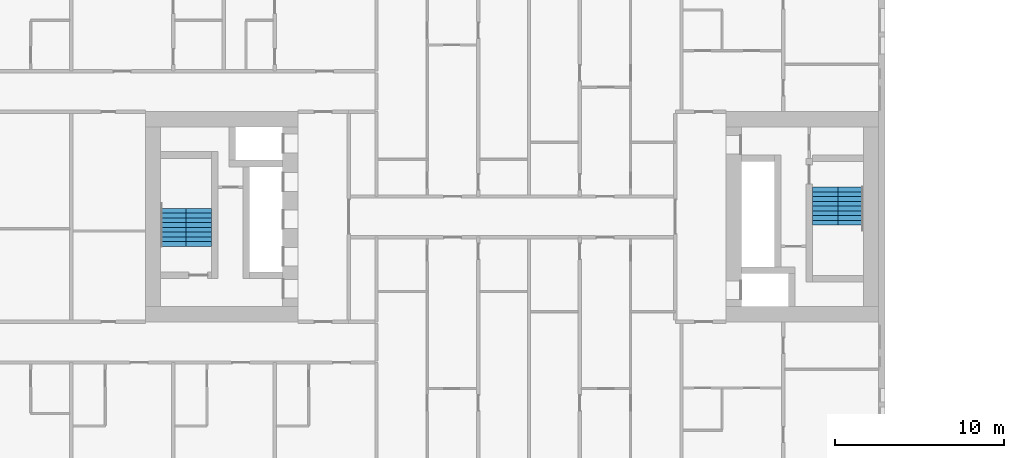
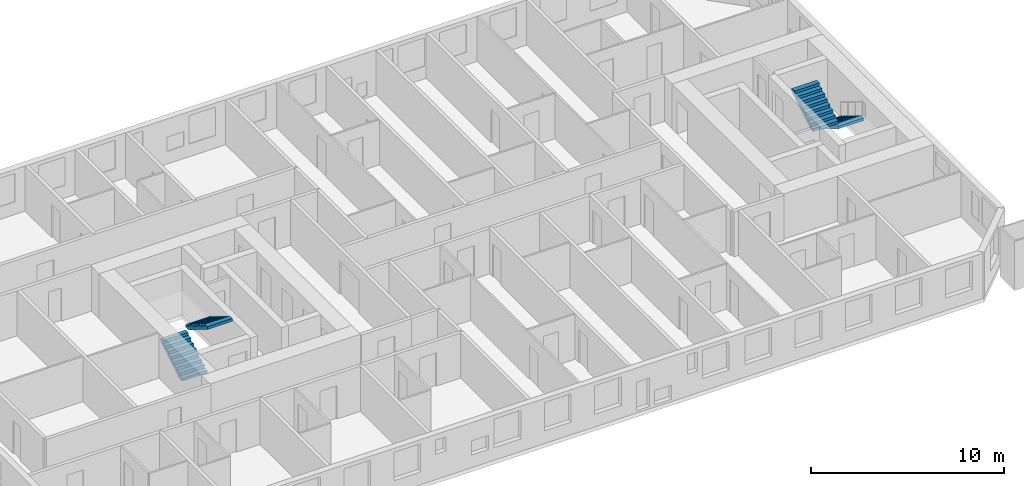
# One storey, part 17 of 18: 4 stair flights, 2 elements without a shape of their own.
"""IFC4 building model written with IfcOpenShell, lengths in metres."""

from ifc_helpers import new_model, si_unit, direction, frame, origin, place, context, subcontext, project, spatial, faceted_brep, material, type_object, element, aggregate, save


model = new_model("IFC4")

# Units and contexts
model_context = context("Model", 3, precision=1e-05, world=origin(), true_north=direction((0.0, 1.0)))
body_context = subcontext(model_context, "Body", "Model", "MODEL_VIEW")
ifc_project = project(units=[si_unit("LENGTHUNIT", "METRE"), si_unit("AREAUNIT", "SQUARE_METRE"), si_unit("VOLUMEUNIT", "CUBIC_METRE"), si_unit("PLANEANGLEUNIT", "RADIAN"), si_unit("MASSUNIT", "GRAM", prefix="KILO")], contexts=[model_context])

# Site, building, storey
site_placement = place(None, origin())
site = spatial("IfcSite", under=ifc_project, at=site_placement, CompositionType="ELEMENT")
building_placement = place(site_placement, origin())
building = spatial("IfcBuilding", under=site, at=building_placement, Name="Tuart Gate Housing", CompositionType="ELEMENT")
storey_placement = place(building_placement, frame((0.0, 0.0, 31.89990234375)))
storey = spatial("IfcBuildingStorey", under=building, at=storey_placement, Name="L08", CompositionType="ELEMENT", Elevation=31.89990234375)

# Stair, stair flights
ifc_material_1 = material(Name="Concrete C40", Category="concrete")
stair_type = type_object("IfcStairType", Name="Core stair 1500", PredefinedType="HALF_TURN_STAIR", material=ifc_material_1)
stair_1_placement = place(storey_placement, origin())
stair_1 = element("IfcStair", 1, at=stair_1_placement, inside=storey, type_object=stair_type, Name="Stair SA1", PredefinedType="HALF_TURN_STAIR")
ifc_material_2 = material(Name="Concrete C40", Category="concrete")
stair_flight_type = type_object("IfcStairFlightType", Name="Stair flight 1500, 9 risers 172 x 280", PredefinedType="STRAIGHT", material=ifc_material_2)
stair_flight_1_placement = place(storey_placement, frame((73.989990234375, 71.75, 0.0), z_axis=(0.0, 0.0, 1.0), x_axis=(0.0, -1.0, 0.0)))
stair_flight_1 = element("IfcStairFlight", 2, at=stair_flight_1_placement, type_object=stair_flight_type, Name="SA1 flight 1", NumberOfRisers=9, NumberOfTreads=8, PredefinedType="STRAIGHT", RiserHeight=0.172222222, TreadLength=0.28, context=body_context, shape_type="Brep", body=[
    faceted_brep([(0.0, 0.75, 0.0), (0.0, 0.75, 0.172119140625), (0.280029296875, 0.75, 0.172119140625), (0.280029296875, 0.75, 0.344482421875), (0.56005859375, 0.75, 0.344482421875), (0.56005859375, 0.75, 0.5166015625), (0.840087890625, 0.75, 0.5166015625), (0.840087890625, 0.75, 0.68896484375), (1.1201171875, 0.75, 0.68896484375), (1.1201171875, 0.75, 0.861083984375), (1.39990234375, 0.75, 0.861083984375), (1.39990234375, 0.75, 1.033447265625), (1.679931640625, 0.75, 1.033447265625), (1.679931640625, 0.75, 1.20556640625), (1.9599609375, 0.75, 1.20556640625), (1.9599609375, 0.75, 1.377685546875), (2.239990234375, 0.75, 1.377685546875), (2.239990234375, 0.75, 1.201904296875), (0.2861328125, 0.75, 0.0), (0.2861328125, -0.75, 0.0), (2.239990234375, -0.75, 1.201904296875), (2.239990234375, -0.75, 1.377685546875), (1.9599609375, -0.75, 1.377685546875), (1.9599609375, -0.75, 1.20556640625), (1.679931640625, -0.75, 1.20556640625), (1.679931640625, -0.75, 1.033447265625), (1.39990234375, -0.75, 1.033447265625), (1.39990234375, -0.75, 0.861083984375), (1.1201171875, -0.75, 0.861083984375), (1.1201171875, -0.75, 0.68896484375), (0.840087890625, -0.75, 0.68896484375), (0.840087890625, -0.75, 0.5166015625), (0.56005859375, -0.75, 0.5166015625), (0.56005859375, -0.75, 0.344482421875), (0.280029296875, -0.75, 0.344482421875), (0.280029296875, -0.75, 0.172119140625), (0.0, -0.75, 0.172119140625), (0.0, -0.75, 0.0), (2.239990234375, 0.0, 1.201904296875), (0.2861328125, 0.0, 0.0), (2.239990234375, 0.0, 1.377685546875), (1.9599609375, 0.0, 1.377685546875), (1.9599609375, 0.0, 1.20556640625), (1.679931640625, 0.0, 1.20556640625), (1.679931640625, 0.0, 1.033447265625), (1.39990234375, 0.0, 1.033447265625), (1.39990234375, 0.0, 0.861083984375), (1.1201171875, 0.0, 0.861083984375), (1.1201171875, 0.0, 0.68896484375), (0.840087890625, 0.0, 0.68896484375), (0.840087890625, 0.0, 0.5166015625), (0.56005859375, 0.0, 0.5166015625), (0.56005859375, 0.0, 0.344482421875), (0.280029296875, 0.0, 0.344482421875), (0.280029296875, 0.0, 0.172119140625), (0.0, 0.0, 0.172119140625), (0.0, 0.0, 0.0)], [[[0, 1, 2, 3, 4, 5, 6, 7, 8, 9, 10, 11, 12, 13, 14, 15, 16, 17, 18]], [[19, 20, 21, 22, 23, 24, 25, 26, 27, 28, 29, 30, 31, 32, 33, 34, 35, 36, 37]], [[18, 17, 38, 39]], [[39, 38, 20, 19]], [[17, 16, 40, 38]], [[38, 40, 21, 20]], [[16, 15, 41, 40]], [[40, 41, 22, 21]], [[15, 14, 42, 41]], [[41, 42, 23, 22]], [[14, 13, 43, 42]], [[42, 43, 24, 23]], [[13, 12, 44, 43]], [[43, 44, 25, 24]], [[12, 11, 45, 44]], [[44, 45, 26, 25]], [[11, 10, 46, 45]], [[45, 46, 27, 26]], [[10, 9, 47, 46]], [[46, 47, 28, 27]], [[9, 8, 48, 47]], [[47, 48, 29, 28]], [[8, 7, 49, 48]], [[48, 49, 30, 29]], [[7, 6, 50, 49]], [[49, 50, 31, 30]], [[6, 5, 51, 50]], [[50, 51, 32, 31]], [[5, 4, 52, 51]], [[51, 52, 33, 32]], [[4, 3, 53, 52]], [[52, 53, 34, 33]], [[3, 2, 54, 53]], [[53, 54, 35, 34]], [[2, 1, 55, 54]], [[54, 55, 36, 35]], [[1, 0, 56, 55]], [[55, 56, 37, 36]], [[0, 18, 39, 56]], [[56, 39, 19, 37]]]),
])
stair_flight_2_placement = place(storey_placement, frame((72.489990234375, 69.510009765625, 1.550048828125), z_axis=(0.0, 0.0, 1.0), x_axis=(0.0, 1.0, 0.0)))
stair_flight_2 = element("IfcStairFlight", 3, at=stair_flight_2_placement, type_object=stair_flight_type, Name="SA1 flight 2", NumberOfRisers=9, NumberOfTreads=8, PredefinedType="STRAIGHT", RiserHeight=0.172222222, TreadLength=0.28, context=body_context, shape_type="Brep", body=[
    faceted_brep([(0.0, 0.75, 0.0), (0.0, 0.75, 0.172119140625), (0.280029296875, 0.75, 0.172119140625), (0.280029296875, 0.75, 0.344482421875), (0.56005859375, 0.75, 0.344482421875), (0.56005859375, 0.75, 0.5166015625), (0.840087890625, 0.75, 0.5166015625), (0.840087890625, 0.75, 0.68896484375), (1.1201171875, 0.75, 0.68896484375), (1.1201171875, 0.75, 0.861083984375), (1.39990234375, 0.75, 0.861083984375), (1.39990234375, 0.75, 1.033447265625), (1.679931640625, 0.75, 1.033447265625), (1.679931640625, 0.75, 1.20556640625), (1.9599609375, 0.75, 1.20556640625), (1.9599609375, 0.75, 1.377685546875), (2.239990234375, 0.75, 1.377685546875), (2.239990234375, 0.75, 1.201904296875), (0.2861328125, 0.75, 0.0), (0.2861328125, -0.75, 0.0), (2.239990234375, -0.75, 1.201904296875), (2.239990234375, -0.75, 1.377685546875), (1.9599609375, -0.75, 1.377685546875), (1.9599609375, -0.75, 1.20556640625), (1.679931640625, -0.75, 1.20556640625), (1.679931640625, -0.75, 1.033447265625), (1.39990234375, -0.75, 1.033447265625), (1.39990234375, -0.75, 0.861083984375), (1.1201171875, -0.75, 0.861083984375), (1.1201171875, -0.75, 0.68896484375), (0.840087890625, -0.75, 0.68896484375), (0.840087890625, -0.75, 0.5166015625), (0.56005859375, -0.75, 0.5166015625), (0.56005859375, -0.75, 0.344482421875), (0.280029296875, -0.75, 0.344482421875), (0.280029296875, -0.75, 0.172119140625), (0.0, -0.75, 0.172119140625), (0.0, -0.75, 0.0), (2.239990234375, 0.0, 1.201904296875), (0.2861328125, 0.0, 0.0), (2.239990234375, 0.0, 1.377685546875), (1.9599609375, 0.0, 1.377685546875), (1.9599609375, 0.0, 1.20556640625), (1.679931640625, 0.0, 1.20556640625), (1.679931640625, 0.0, 1.033447265625), (1.39990234375, 0.0, 1.033447265625), (1.39990234375, 0.0, 0.861083984375), (1.1201171875, 0.0, 0.861083984375), (1.1201171875, 0.0, 0.68896484375), (0.840087890625, 0.0, 0.68896484375), (0.840087890625, 0.0, 0.5166015625), (0.56005859375, 0.0, 0.5166015625), (0.56005859375, 0.0, 0.344482421875), (0.280029296875, 0.0, 0.344482421875), (0.280029296875, 0.0, 0.172119140625), (0.0, 0.0, 0.172119140625), (0.0, 0.0, 0.0)], [[[0, 1, 2, 3, 4, 5, 6, 7, 8, 9, 10, 11, 12, 13, 14, 15, 16, 17, 18]], [[19, 20, 21, 22, 23, 24, 25, 26, 27, 28, 29, 30, 31, 32, 33, 34, 35, 36, 37]], [[18, 17, 38, 39]], [[39, 38, 20, 19]], [[17, 16, 40, 38]], [[38, 40, 21, 20]], [[16, 15, 41, 40]], [[40, 41, 22, 21]], [[15, 14, 42, 41]], [[41, 42, 23, 22]], [[14, 13, 43, 42]], [[42, 43, 24, 23]], [[13, 12, 44, 43]], [[43, 44, 25, 24]], [[12, 11, 45, 44]], [[44, 45, 26, 25]], [[11, 10, 46, 45]], [[45, 46, 27, 26]], [[10, 9, 47, 46]], [[46, 47, 28, 27]], [[9, 8, 48, 47]], [[47, 48, 29, 28]], [[8, 7, 49, 48]], [[48, 49, 30, 29]], [[7, 6, 50, 49]], [[49, 50, 31, 30]], [[6, 5, 51, 50]], [[50, 51, 32, 31]], [[5, 4, 52, 51]], [[51, 52, 33, 32]], [[4, 3, 53, 52]], [[52, 53, 34, 33]], [[3, 2, 54, 53]], [[53, 54, 35, 34]], [[2, 1, 55, 54]], [[54, 55, 36, 35]], [[1, 0, 56, 55]], [[55, 56, 37, 36]], [[0, 18, 39, 56]], [[56, 39, 19, 37]]]),
])
aggregate(stair_1, [stair_flight_1, stair_flight_2])

stair_2_placement = place(storey_placement, origin())
stair_2 = element("IfcStair", 4, at=stair_2_placement, inside=storey, type_object=stair_type, Name="Stair SA2", PredefinedType="HALF_TURN_STAIR")
stair_flight_3_placement = place(storey_placement, frame((34.010009765625, 68.25, 0.0), z_axis=(0.0, 0.0, 1.0), x_axis=(0.0, 1.0, 0.0)))
stair_flight_3 = element("IfcStairFlight", 5, at=stair_flight_3_placement, type_object=stair_flight_type, Name="SA2 flight 1", NumberOfRisers=9, NumberOfTreads=8, PredefinedType="STRAIGHT", RiserHeight=0.172222222, TreadLength=0.28, context=body_context, shape_type="Brep", body=[
    faceted_brep([(0.0, 0.75, 0.0), (0.0, 0.75, 0.172119140625), (0.280029296875, 0.75, 0.172119140625), (0.280029296875, 0.75, 0.344482421875), (0.56005859375, 0.75, 0.344482421875), (0.56005859375, 0.75, 0.5166015625), (0.840087890625, 0.75, 0.5166015625), (0.840087890625, 0.75, 0.68896484375), (1.1201171875, 0.75, 0.68896484375), (1.1201171875, 0.75, 0.861083984375), (1.39990234375, 0.75, 0.861083984375), (1.39990234375, 0.75, 1.033447265625), (1.679931640625, 0.75, 1.033447265625), (1.679931640625, 0.75, 1.20556640625), (1.9599609375, 0.75, 1.20556640625), (1.9599609375, 0.75, 1.377685546875), (2.239990234375, 0.75, 1.377685546875), (2.239990234375, 0.75, 1.201904296875), (0.2861328125, 0.75, 0.0), (0.2861328125, -0.75, 0.0), (2.239990234375, -0.75, 1.201904296875), (2.239990234375, -0.75, 1.377685546875), (1.9599609375, -0.75, 1.377685546875), (1.9599609375, -0.75, 1.20556640625), (1.679931640625, -0.75, 1.20556640625), (1.679931640625, -0.75, 1.033447265625), (1.39990234375, -0.75, 1.033447265625), (1.39990234375, -0.75, 0.861083984375), (1.1201171875, -0.75, 0.861083984375), (1.1201171875, -0.75, 0.68896484375), (0.840087890625, -0.75, 0.68896484375), (0.840087890625, -0.75, 0.5166015625), (0.56005859375, -0.75, 0.5166015625), (0.56005859375, -0.75, 0.344482421875), (0.280029296875, -0.75, 0.344482421875), (0.280029296875, -0.75, 0.172119140625), (0.0, -0.75, 0.172119140625), (0.0, -0.75, 0.0), (2.239990234375, 0.0, 1.201904296875), (0.2861328125, 0.0, 0.0), (2.239990234375, 0.0, 1.377685546875), (1.9599609375, 0.0, 1.377685546875), (1.9599609375, 0.0, 1.20556640625), (1.679931640625, 0.0, 1.20556640625), (1.679931640625, 0.0, 1.033447265625), (1.39990234375, 0.0, 1.033447265625), (1.39990234375, 0.0, 0.861083984375), (1.1201171875, 0.0, 0.861083984375), (1.1201171875, 0.0, 0.68896484375), (0.840087890625, 0.0, 0.68896484375), (0.840087890625, 0.0, 0.5166015625), (0.56005859375, 0.0, 0.5166015625), (0.56005859375, 0.0, 0.344482421875), (0.280029296875, 0.0, 0.344482421875), (0.280029296875, 0.0, 0.172119140625), (0.0, 0.0, 0.172119140625), (0.0, 0.0, 0.0)], [[[0, 1, 2, 3, 4, 5, 6, 7, 8, 9, 10, 11, 12, 13, 14, 15, 16, 17, 18]], [[19, 20, 21, 22, 23, 24, 25, 26, 27, 28, 29, 30, 31, 32, 33, 34, 35, 36, 37]], [[18, 17, 38, 39]], [[39, 38, 20, 19]], [[17, 16, 40, 38]], [[38, 40, 21, 20]], [[16, 15, 41, 40]], [[40, 41, 22, 21]], [[15, 14, 42, 41]], [[41, 42, 23, 22]], [[14, 13, 43, 42]], [[42, 43, 24, 23]], [[13, 12, 44, 43]], [[43, 44, 25, 24]], [[12, 11, 45, 44]], [[44, 45, 26, 25]], [[11, 10, 46, 45]], [[45, 46, 27, 26]], [[10, 9, 47, 46]], [[46, 47, 28, 27]], [[9, 8, 48, 47]], [[47, 48, 29, 28]], [[8, 7, 49, 48]], [[48, 49, 30, 29]], [[7, 6, 50, 49]], [[49, 50, 31, 30]], [[6, 5, 51, 50]], [[50, 51, 32, 31]], [[5, 4, 52, 51]], [[51, 52, 33, 32]], [[4, 3, 53, 52]], [[52, 53, 34, 33]], [[3, 2, 54, 53]], [[53, 54, 35, 34]], [[2, 1, 55, 54]], [[54, 55, 36, 35]], [[1, 0, 56, 55]], [[55, 56, 37, 36]], [[0, 18, 39, 56]], [[56, 39, 19, 37]]]),
])
stair_flight_4_placement = place(storey_placement, frame((35.510009765625, 70.489990234375, 1.550048828125), z_axis=(0.0, 0.0, 1.0), x_axis=(0.0, -1.0, 0.0)))
stair_flight_4 = element("IfcStairFlight", 6, at=stair_flight_4_placement, type_object=stair_flight_type, Name="SA2 flight 2", NumberOfRisers=9, NumberOfTreads=8, PredefinedType="STRAIGHT", RiserHeight=0.172222222, TreadLength=0.28, context=body_context, shape_type="Brep", body=[
    faceted_brep([(0.0, 0.75, 0.0), (0.0, 0.75, 0.172119140625), (0.280029296875, 0.75, 0.172119140625), (0.280029296875, 0.75, 0.344482421875), (0.56005859375, 0.75, 0.344482421875), (0.56005859375, 0.75, 0.5166015625), (0.840087890625, 0.75, 0.5166015625), (0.840087890625, 0.75, 0.68896484375), (1.1201171875, 0.75, 0.68896484375), (1.1201171875, 0.75, 0.861083984375), (1.39990234375, 0.75, 0.861083984375), (1.39990234375, 0.75, 1.033447265625), (1.679931640625, 0.75, 1.033447265625), (1.679931640625, 0.75, 1.20556640625), (1.9599609375, 0.75, 1.20556640625), (1.9599609375, 0.75, 1.377685546875), (2.239990234375, 0.75, 1.377685546875), (2.239990234375, 0.75, 1.201904296875), (0.2861328125, 0.75, 0.0), (0.2861328125, -0.75, 0.0), (2.239990234375, -0.75, 1.201904296875), (2.239990234375, -0.75, 1.377685546875), (1.9599609375, -0.75, 1.377685546875), (1.9599609375, -0.75, 1.20556640625), (1.679931640625, -0.75, 1.20556640625), (1.679931640625, -0.75, 1.033447265625), (1.39990234375, -0.75, 1.033447265625), (1.39990234375, -0.75, 0.861083984375), (1.1201171875, -0.75, 0.861083984375), (1.1201171875, -0.75, 0.68896484375), (0.840087890625, -0.75, 0.68896484375), (0.840087890625, -0.75, 0.5166015625), (0.56005859375, -0.75, 0.5166015625), (0.56005859375, -0.75, 0.344482421875), (0.280029296875, -0.75, 0.344482421875), (0.280029296875, -0.75, 0.172119140625), (0.0, -0.75, 0.172119140625), (0.0, -0.75, 0.0), (2.239990234375, 0.0, 1.201904296875), (0.2861328125, 0.0, 0.0), (2.239990234375, 0.0, 1.377685546875), (1.9599609375, 0.0, 1.377685546875), (1.9599609375, 0.0, 1.20556640625), (1.679931640625, 0.0, 1.20556640625), (1.679931640625, 0.0, 1.033447265625), (1.39990234375, 0.0, 1.033447265625), (1.39990234375, 0.0, 0.861083984375), (1.1201171875, 0.0, 0.861083984375), (1.1201171875, 0.0, 0.68896484375), (0.840087890625, 0.0, 0.68896484375), (0.840087890625, 0.0, 0.5166015625), (0.56005859375, 0.0, 0.5166015625), (0.56005859375, 0.0, 0.344482421875), (0.280029296875, 0.0, 0.344482421875), (0.280029296875, 0.0, 0.172119140625), (0.0, 0.0, 0.172119140625), (0.0, 0.0, 0.0)], [[[0, 1, 2, 3, 4, 5, 6, 7, 8, 9, 10, 11, 12, 13, 14, 15, 16, 17, 18]], [[19, 20, 21, 22, 23, 24, 25, 26, 27, 28, 29, 30, 31, 32, 33, 34, 35, 36, 37]], [[18, 17, 38, 39]], [[39, 38, 20, 19]], [[17, 16, 40, 38]], [[38, 40, 21, 20]], [[16, 15, 41, 40]], [[40, 41, 22, 21]], [[15, 14, 42, 41]], [[41, 42, 23, 22]], [[14, 13, 43, 42]], [[42, 43, 24, 23]], [[13, 12, 44, 43]], [[43, 44, 25, 24]], [[12, 11, 45, 44]], [[44, 45, 26, 25]], [[11, 10, 46, 45]], [[45, 46, 27, 26]], [[10, 9, 47, 46]], [[46, 47, 28, 27]], [[9, 8, 48, 47]], [[47, 48, 29, 28]], [[8, 7, 49, 48]], [[48, 49, 30, 29]], [[7, 6, 50, 49]], [[49, 50, 31, 30]], [[6, 5, 51, 50]], [[50, 51, 32, 31]], [[5, 4, 52, 51]], [[51, 52, 33, 32]], [[4, 3, 53, 52]], [[52, 53, 34, 33]], [[3, 2, 54, 53]], [[53, 54, 35, 34]], [[2, 1, 55, 54]], [[54, 55, 36, 35]], [[1, 0, 56, 55]], [[55, 56, 37, 36]], [[0, 18, 39, 56]], [[56, 39, 19, 37]]]),
])
aggregate(stair_2, [stair_flight_3, stair_flight_4])

save(model, "model.ifc")
